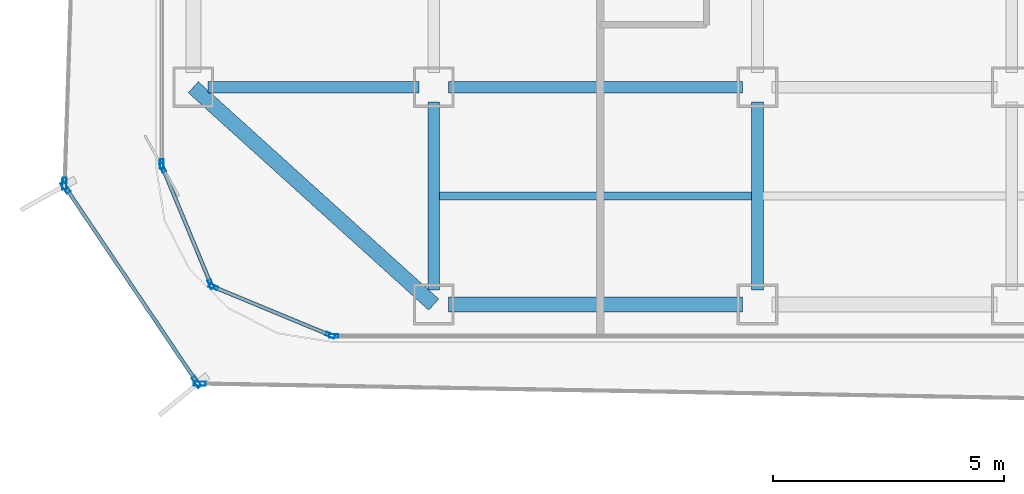
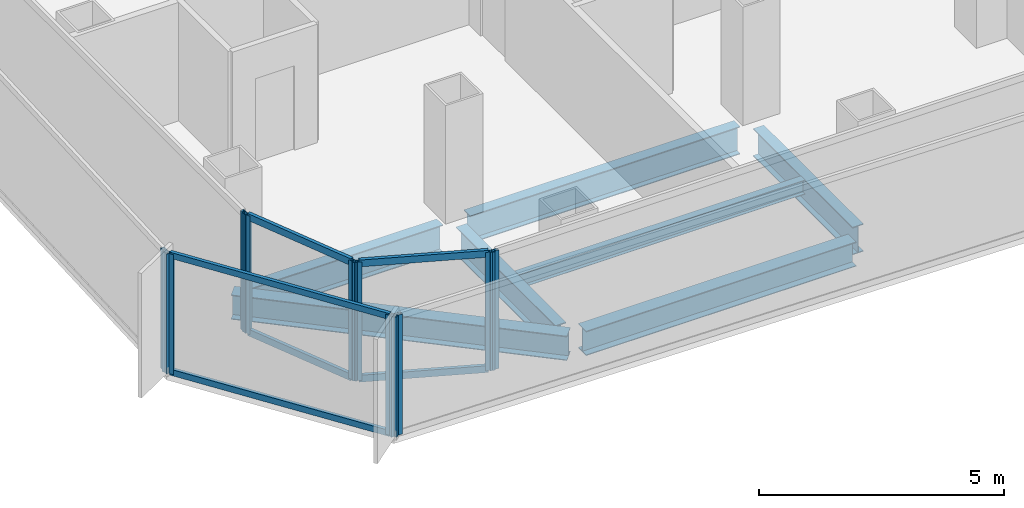
# One storey, part 2 of 21: 16 members, 7 beams, 7 elements without a shape of their own.
"""IFC4 building model written with IfcOpenShell, lengths in metres."""

from ifc_helpers import new_model, si_unit, direction, frame, origin, origin_2d, place, context, subcontext, project, spatial, hollow_rectangle, i_section, extrude, source, transform, mapped, material, layer, layer_set, material_profile, profile_set, type_object, element, aggregate, save


model = new_model("IFC4")

# Units and contexts
model_context = context("Model", 3, precision=1e-05, world=origin(), true_north=direction((0.0, 1.0)))
body_context = subcontext(model_context, "Body", "Model", "MODEL_VIEW")
ifc_project = project(units=[si_unit("LENGTHUNIT", "METRE"), si_unit("AREAUNIT", "SQUARE_METRE"), si_unit("VOLUMEUNIT", "CUBIC_METRE"), si_unit("PLANEANGLEUNIT", "RADIAN"), si_unit("MASSUNIT", "GRAM", prefix="KILO")], contexts=[model_context])

# Site, building, storey
site_placement = place(None, origin())
site = spatial("IfcSite", under=ifc_project, at=site_placement, CompositionType="ELEMENT")
building_placement = place(site_placement, origin())
building = spatial("IfcBuilding", under=site, at=building_placement, Name="Kolveth Station Tower", CompositionType="ELEMENT")
storey_placement = place(building_placement, frame((0.0, 0.0, 127.89990234375)))
storey = spatial("IfcBuildingStorey", under=building, at=storey_placement, Name="L35", CompositionType="ELEMENT", Elevation=127.89990234375)

# Beams
ifc_material_1 = material(Name="Steel S355", Category="steel")
ifc_material_profile_1 = material_profile(ifc_material_1, i_section(OverallWidth=0.323974609375, OverallDepth=0.611083984375, WebThickness=0.0126953125, FlangeThickness=0.01904296875, at=origin_2d()), Name="W610x155")
ifc_profile_set_1 = profile_set([ifc_material_profile_1], Name="Steel S355")
beam_type_1 = type_object("IfcBeamType", Name="Beam_SP2", PredefinedType="SPANDREL", material=ifc_profile_set_1)
shared_shape_1 = source(origin(), body_context, "Body", "SweptSolid", [
    extrude(i_section(OverallWidth=0.323974609375, OverallDepth=0.611083984375, WebThickness=0.0126953125, FlangeThickness=0.01904296875, at=origin_2d()), origin(), (0.0, 0.0, 1.0), 6.35986328125),
])
beam_1_placement = place(storey_placement, frame((6.320068359375, 0.800048828125, -0.555419921875), z_axis=(1.0, 0.0, 0.0), x_axis=(0.0, 1.0, 0.0)))
element("IfcBeam", 1, at=beam_1_placement, inside=storey, type_object=beam_type_1, Name="L35 Perimeter Spandrel BM-L35-PS-1", PredefinedType="SPANDREL", context=body_context, shape_type="MappedRepresentation", body=[
    mapped(shared_shape_1, transform((0.0, 0.0, 0.0), x_axis=(1.0, 0.0, 0.0), y_axis=(0.0, 1.0, 0.0), z_axis=(0.0, 0.0, 1.0), scale=1.0)),
])
shared_shape_2 = source(origin(), body_context, "Body", "SweptSolid", [
    extrude(i_section(OverallWidth=0.323974609375, OverallDepth=0.611083984375, WebThickness=0.0126953125, FlangeThickness=0.01904296875, at=origin_2d()), origin(), (0.0, 0.0, 1.0), 7.00927734375),
])
beam_2_placement = place(storey_placement, frame((0.800048828125, 5.5, -0.555419921875), z_axis=(0.741874009795, -0.670539300557, 0.0), x_axis=(0.670539300557, 0.741874009795, 0.0)))
element("IfcBeam", 2, at=beam_2_placement, inside=storey, type_object=beam_type_1, Name="L35 Corner Edge Girder BM-L35-CNR-SW", PredefinedType="SPANDREL", context=body_context, shape_type="MappedRepresentation", body=[
    mapped(shared_shape_2, transform((0.0, 0.0, 0.0), x_axis=(1.0, 0.0, 0.0), y_axis=(0.0, 1.0, 0.0), z_axis=(0.0, 0.0, 1.0), scale=1.0)),
])
ifc_material_profile_2 = material_profile(ifc_material_1, i_section(OverallWidth=0.25390625, OverallDepth=0.68798828125, WebThickness=0.01318359375, FlangeThickness=0.02099609375, at=origin_2d()), Name="W690x152")
ifc_profile_set_2 = profile_set([ifc_material_profile_2], Name="Steel S355")
beam_type_2 = type_object("IfcBeamType", Name="Beam_B4", PredefinedType="BEAM", material=ifc_profile_set_2)
shared_shape_3 = source(origin(), body_context, "Body", "SweptSolid", [
    extrude(i_section(OverallWidth=0.25390625, OverallDepth=0.68798828125, WebThickness=0.01318359375, FlangeThickness=0.02099609375, at=origin_2d()), origin(), (0.0, 0.0, 1.0), 4.559814453125),
])
beam_3_placement = place(storey_placement, frame((1.1201171875, 5.5, -0.593994140625), z_axis=(1.0, 0.0, 0.0), x_axis=(0.0, 1.0, 0.0)))
element("IfcBeam", 3, at=beam_3_placement, inside=storey, type_object=beam_type_2, Name="L35 Primary Girder BM-L35-GY55-1", PredefinedType="BEAM", context=body_context, shape_type="MappedRepresentation", body=[
    mapped(shared_shape_3, transform((0.0, 0.0, 0.0), x_axis=(1.0, 0.0, 0.0), y_axis=(0.0, 1.0, 0.0), z_axis=(0.0, 0.0, 1.0), scale=1.0)),
])
shared_shape_4 = source(origin(), body_context, "Body", "SweptSolid", [
    extrude(i_section(OverallWidth=0.25390625, OverallDepth=0.68798828125, WebThickness=0.01318359375, FlangeThickness=0.02099609375, at=origin_2d()), origin(), (0.0, 0.0, 1.0), 6.35986328125),
])
beam_4_placement = place(storey_placement, frame((6.320068359375, 5.5, -0.593994140625), z_axis=(1.0, 0.0, 0.0), x_axis=(0.0, 1.0, 0.0)))
element("IfcBeam", 4, at=beam_4_placement, inside=storey, type_object=beam_type_2, Name="L35 Primary Girder BM-L35-GY55-2", PredefinedType="BEAM", context=body_context, shape_type="MappedRepresentation", body=[
    mapped(shared_shape_4, transform((0.0, 0.0, 0.0), x_axis=(1.0, 0.0, 0.0), y_axis=(0.0, 1.0, 0.0), z_axis=(0.0, 0.0, 1.0), scale=1.0)),
])
shared_shape_5 = source(origin(), body_context, "Body", "SweptSolid", [
    extrude(i_section(OverallWidth=0.25390625, OverallDepth=0.68798828125, WebThickness=0.01318359375, FlangeThickness=0.02099609375, at=origin_2d()), origin(), (0.0, 0.0, 1.0), 4.059814453125),
])
for number, where, z_axis, x_axis, name in (
    (5, (6.0, 1.1201171875, -0.593994140625), (0.0, 1.0, 0.0), (-1.0, 0.0, 0.0), "L35 Primary Girder BM-L35-GX60-1"),
    (6, (13.0, 1.1201171875, -0.593994140625), (0.0, 1.0, 0.0), (-1.0, 0.0, 0.0), "L35 Primary Girder BM-L35-GX130-1"),
):
    element("IfcBeam", number, at=place(storey_placement, frame(where, z_axis=z_axis, x_axis=x_axis)), inside=storey, type_object=beam_type_2, Name=name, PredefinedType="BEAM", context=body_context, shape_type="MappedRepresentation", body=[
        mapped(shared_shape_5, transform((0.0, 0.0, 0.0), x_axis=(1.0, 0.0, 0.0), y_axis=(0.0, 1.0, 0.0), z_axis=(0.0, 0.0, 1.0), scale=1.0)),
    ])
ifc_material_profile_3 = material_profile(ifc_material_1, i_section(OverallWidth=0.1708984375, OverallDepth=0.35205078125, WebThickness=0.0068359375, FlangeThickness=0.009765625, at=origin_2d()), Name="W360x44")
ifc_profile_set_3 = profile_set([ifc_material_profile_3], Name="Steel S355")
beam_type_3 = type_object("IfcBeamType", Name="Beam_J2", PredefinedType="JOIST", material=ifc_profile_set_3)
shared_shape_6 = source(origin(), body_context, "Body", "SweptSolid", [
    extrude(i_section(OverallWidth=0.1708984375, OverallDepth=0.35205078125, WebThickness=0.0068359375, FlangeThickness=0.009765625, at=origin_2d()), origin(), (0.0, 0.0, 1.0), 6.75),
])
beam_5_placement = place(storey_placement, frame((6.125, 3.14990234375, -0.42578125), z_axis=(1.0, 0.0, 0.0), x_axis=(0.0, 1.0, 0.0)))
element("IfcBeam", 7, at=beam_5_placement, inside=storey, type_object=beam_type_3, Name="L35 Secondary Joist JST-L35-2-1", PredefinedType="JOIST", context=body_context, shape_type="MappedRepresentation", body=[
    mapped(shared_shape_6, transform((0.0, 0.0, 0.0), x_axis=(1.0, 0.0, 0.0), y_axis=(0.0, 1.0, 0.0), z_axis=(0.0, 0.0, 1.0), scale=1.0)),
])

# Curtain wall, members
ifc_material_2 = material(Name="Aluminium 6063-T6 and low-E dark glass", Category="aluminium")
ifc_layer_1 = layer(ifc_material_2, 0.18994140625)
ifc_layer_set_1 = layer_set([ifc_layer_1], Name="Aluminium 6063-T6 and low-E dark glass")
curtain_wall_type_1 = type_object("IfcCurtainWallType", Name="CurtainWall_CW-Z2", PredefinedType="NOTDEFINED", material=ifc_layer_set_1)
curtain_wall_1_placement = place(storey_placement, origin())
curtain_wall_1 = element("IfcCurtainWall", 8, at=curtain_wall_1_placement, inside=storey, type_object=curtain_wall_type_1, Name="L35 Inner Thermal Curtain Wall 10", PredefinedType="NOTDEFINED")
ifc_material_3 = material(Name="Black anodized aluminium 6063-T6", Category="aluminium")
ifc_material_profile_4 = material_profile(ifc_material_3, hollow_rectangle(XDim=0.080078125, YDim=0.169921875, WallThickness=0.0048828125, at=origin_2d()), Name="ALU-80x170x5")
ifc_profile_set_4 = profile_set([ifc_material_profile_4], Name="Black anodized aluminium 6063-T6")
member_type_1 = type_object("IfcMemberType", Name="Transom_TR2", PredefinedType="USERDEFINED", material=ifc_profile_set_4)
shared_shape_7 = source(origin(), body_context, "Body", "SweptSolid", [
    extrude(hollow_rectangle(XDim=0.080078125, YDim=0.169921875, WallThickness=0.0048828125, at=origin_2d()), origin(), (0.0, 0.0, 1.0), 2.656494140625),
])
member_1_placement = place(storey_placement, frame((0.150634765625, 3.72607421875, 0.0400390625), z_axis=(0.382676455475, -0.923882422403, 0.0), x_axis=(0.923882422403, 0.382676455475, 0.0)))
member_1 = element("IfcMember", 9, at=member_1_placement, type_object=member_type_1, Name="CW-Z2 transom 1.1", ObjectType="TRANSOM", PredefinedType="USERDEFINED", context=body_context, shape_type="MappedRepresentation", body=[
    mapped(shared_shape_7, transform((0.0, 0.0, 0.0), x_axis=(1.0, 0.0, 0.0), y_axis=(0.0, 1.0, 0.0), z_axis=(0.0, 0.0, 1.0), scale=1.0)),
])
member_2_placement = place(storey_placement, frame((0.150634765625, 3.72607421875, 2.91015625), z_axis=(0.382676455475, -0.923882422403, 0.0), x_axis=(0.923882422403, 0.382676455475, 0.0)))
member_2 = element("IfcMember", 10, at=member_2_placement, type_object=member_type_1, Name="CW-Z2 transom 1.2", ObjectType="TRANSOM", PredefinedType="USERDEFINED", context=body_context, shape_type="MappedRepresentation", body=[
    mapped(shared_shape_7, transform((0.0, 0.0, 0.0), x_axis=(1.0, 0.0, 0.0), y_axis=(0.0, 1.0, 0.0), z_axis=(0.0, 0.0, 1.0), scale=1.0)),
])

curtain_wall_2_placement = place(storey_placement, origin())
curtain_wall_2 = element("IfcCurtainWall", 11, at=curtain_wall_2_placement, inside=storey, type_object=curtain_wall_type_1, Name="L35 Inner Thermal Curtain Wall 11", PredefinedType="NOTDEFINED")
member_3_placement = place(storey_placement, frame((1.271728515625, 1.167236328125, 0.0400390625), z_axis=(0.923882422403, -0.382676455475, 0.0), x_axis=(0.382676455475, 0.923882422403, 0.0)))
member_3 = element("IfcMember", 12, at=member_3_placement, type_object=member_type_1, Name="CW-Z2 transom 1.1", ObjectType="TRANSOM", PredefinedType="USERDEFINED", context=body_context, shape_type="MappedRepresentation", body=[
    mapped(shared_shape_7, transform((0.0, 0.0, 0.0), x_axis=(1.0, 0.0, 0.0), y_axis=(0.0, 1.0, 0.0), z_axis=(0.0, 0.0, 1.0), scale=1.0)),
])
member_4_placement = place(storey_placement, frame((1.271728515625, 1.167236328125, 2.91015625), z_axis=(0.923882422403, -0.382676455475, 0.0), x_axis=(0.382676455475, 0.923882422403, 0.0)))
member_4 = element("IfcMember", 13, at=member_4_placement, type_object=member_type_1, Name="CW-Z2 transom 1.2", ObjectType="TRANSOM", PredefinedType="USERDEFINED", context=body_context, shape_type="MappedRepresentation", body=[
    mapped(shared_shape_7, transform((0.0, 0.0, 0.0), x_axis=(1.0, 0.0, 0.0), y_axis=(0.0, 1.0, 0.0), z_axis=(0.0, 0.0, 1.0), scale=1.0)),
])

# Curtain wall, member
ifc_material_4 = material(Name="Black anodized aluminium 6063-T6 and dark solar glass", Category="aluminium")
ifc_layer_2 = layer(ifc_material_4, 0.159912109375)
ifc_layer_set_2 = layer_set([ifc_layer_2], Name="Black anodized aluminium 6063-T6 and dark solar glass")
curtain_wall_type_2 = type_object("IfcCurtainWallType", Name="OUTER SKIN CW-OS", PredefinedType="NOTDEFINED", material=ifc_layer_set_2)
curtain_wall_3_placement = place(storey_placement, origin())
curtain_wall_3 = element("IfcCurtainWall", 14, at=curtain_wall_3_placement, inside=storey, type_object=curtain_wall_type_2, Name="L35 Outer Ventilated Skin Curtain Wall 6", PredefinedType="NOTDEFINED")
ifc_material_profile_5 = material_profile(ifc_material_3, hollow_rectangle(XDim=0.090087890625, YDim=0.260009765625, WallThickness=0.0048828125, at=origin_2d()), Name="ALU-90x260x5")
ifc_profile_set_5 = profile_set([ifc_material_profile_5], Name="Black anodized aluminium 6063-T6")
member_type_2 = type_object("IfcMemberType", Name="FIN MULLION ML-OS", PredefinedType="MULLION", material=ifc_profile_set_5)
shared_shape_8 = source(origin(), body_context, "Body", "SweptSolid", [
    extrude(hollow_rectangle(XDim=0.090087890625, YDim=0.260009765625, WallThickness=0.0048828125, at=origin_2d()), origin(), (0.0, 0.0, 1.0), 2.989990234375),
])
member_5_placement = place(storey_placement, frame((-1.986328125, 3.4150390625, 0.0), z_axis=(0.0, 0.0, 1.0), x_axis=(0.99946866399, -0.032594320103, 0.0)))
member_5 = element("IfcMember", 15, at=member_5_placement, type_object=member_type_2, Name="CW-OS mullion 2", PredefinedType="MULLION", context=body_context, shape_type="MappedRepresentation", body=[
    mapped(shared_shape_8, transform((0.0, 0.0, 0.0), x_axis=(1.0, 0.0, 0.0), y_axis=(0.0, 1.0, 0.0), z_axis=(0.0, 0.0, 1.0), scale=1.0)),
])
aggregate(curtain_wall_3, [member_5])

# Curtain wall, members
curtain_wall_4_placement = place(storey_placement, origin())
curtain_wall_4 = element("IfcCurtainWall", 16, at=curtain_wall_4_placement, inside=storey, type_object=curtain_wall_type_2, Name="L35 Outer Ventilated Skin Curtain Wall 7", PredefinedType="NOTDEFINED")
member_6_placement = place(storey_placement, frame((-1.962646484375, 3.332763671875, 0.0), z_axis=(0.0, 0.0, 1.0), x_axis=(0.829238323646, 0.558895162439, 0.0)))
member_6 = element("IfcMember", 17, at=member_6_placement, type_object=member_type_2, Name="CW-OS mullion 1", PredefinedType="MULLION", context=body_context, shape_type="MappedRepresentation", body=[
    mapped(shared_shape_8, transform((0.0, 0.0, 0.0), x_axis=(1.0, 0.0, 0.0), y_axis=(0.0, 1.0, 0.0), z_axis=(0.0, 0.0, 1.0), scale=1.0)),
])
member_7_placement = place(storey_placement, frame((0.8720703125, -0.87353515625, 0.0), z_axis=(0.0, 0.0, 1.0), x_axis=(0.829238323646, 0.558895162439, 0.0)))
member_7 = element("IfcMember", 18, at=member_7_placement, type_object=member_type_2, Name="CW-OS mullion 2", PredefinedType="MULLION", context=body_context, shape_type="MappedRepresentation", body=[
    mapped(shared_shape_8, transform((0.0, 0.0, 0.0), x_axis=(1.0, 0.0, 0.0), y_axis=(0.0, 1.0, 0.0), z_axis=(0.0, 0.0, 1.0), scale=1.0)),
])

# Curtain wall, member
curtain_wall_5_placement = place(storey_placement, origin())
curtain_wall_5 = element("IfcCurtainWall", 19, at=curtain_wall_5_placement, inside=storey, type_object=curtain_wall_type_2, Name="L35 Outer Ventilated Skin Curtain Wall 8", PredefinedType="NOTDEFINED")
member_8_placement = place(storey_placement, frame((0.9423828125, -0.91162109375, 0.0), z_axis=(0.0, 0.0, 1.0), x_axis=(0.017555621297, 0.999845888205, 0.0)))
member_8 = element("IfcMember", 20, at=member_8_placement, type_object=member_type_2, Name="CW-OS mullion 1", PredefinedType="MULLION", context=body_context, shape_type="MappedRepresentation", body=[
    mapped(shared_shape_8, transform((0.0, 0.0, 0.0), x_axis=(1.0, 0.0, 0.0), y_axis=(0.0, 1.0, 0.0), z_axis=(0.0, 0.0, 1.0), scale=1.0)),
])
aggregate(curtain_wall_5, [member_8])

curtain_wall_6_placement = place(storey_placement, origin())
curtain_wall_6 = element("IfcCurtainWall", 21, at=curtain_wall_6_placement, inside=storey, type_object=curtain_wall_type_1, Name="L35 Inner Thermal Curtain Wall 9", PredefinedType="NOTDEFINED")
ifc_material_profile_6 = material_profile(ifc_material_3, hollow_rectangle(XDim=0.080078125, YDim=0.199951171875, WallThickness=0.0048828125, at=origin_2d()), Name="ALU-80x200x5")
ifc_profile_set_6 = profile_set([ifc_material_profile_6], Name="Black anodized aluminium 6063-T6")
member_type_3 = type_object("IfcMemberType", Name="Mullion_ML2", PredefinedType="MULLION", material=ifc_profile_set_6)
shared_shape_9 = source(origin(), body_context, "Body", "SweptSolid", [
    extrude(hollow_rectangle(XDim=0.080078125, YDim=0.199951171875, WallThickness=0.0048828125, at=origin_2d()), origin(), (0.0, 0.0, 1.0), 2.9501953125),
])
member_9_placement = place(storey_placement, frame((0.1201171875, 3.840087890625, 0.0), z_axis=(0.0, 0.0, 1.0), x_axis=(1.0, 0.0, 0.0)))
member_9 = element("IfcMember", 22, at=member_9_placement, type_object=member_type_3, Name="CW-Z2 mullion 2", PredefinedType="MULLION", context=body_context, shape_type="MappedRepresentation", body=[
    mapped(shared_shape_9, transform((0.0, 0.0, 0.0), x_axis=(1.0, 0.0, 0.0), y_axis=(0.0, 1.0, 0.0), z_axis=(0.0, 0.0, 1.0), scale=1.0)),
])
aggregate(curtain_wall_6, [member_9])

# Member
member_10_placement = place(storey_placement, frame((0.13525390625, 3.762939453125, 0.0), z_axis=(0.0, 0.0, 1.0), x_axis=(0.923887883787, 0.38266326998, 0.0)))
member_10 = element("IfcMember", 23, at=member_10_placement, type_object=member_type_3, Name="CW-Z2 mullion 1", PredefinedType="MULLION", context=body_context, shape_type="MappedRepresentation", body=[
    mapped(shared_shape_9, transform((0.0, 0.0, 0.0), x_axis=(1.0, 0.0, 0.0), y_axis=(0.0, 1.0, 0.0), z_axis=(0.0, 0.0, 1.0), scale=1.0)),
])

member_11_placement = place(storey_placement, frame((1.182373046875, 1.23486328125, 0.0), z_axis=(0.0, 0.0, 1.0), x_axis=(0.923887883787, 0.38266326998, 0.0)))
member_11 = element("IfcMember", 24, at=member_11_placement, type_object=member_type_3, Name="CW-Z2 mullion 2", PredefinedType="MULLION", context=body_context, shape_type="MappedRepresentation", body=[
    mapped(shared_shape_9, transform((0.0, 0.0, 0.0), x_axis=(1.0, 0.0, 0.0), y_axis=(0.0, 1.0, 0.0), z_axis=(0.0, 0.0, 1.0), scale=1.0)),
])

aggregate(curtain_wall_1, [member_10, member_11, member_1, member_2])

member_12_placement = place(storey_placement, frame((1.23486328125, 1.182373046875, 0.0), z_axis=(0.0, 0.0, 1.0), x_axis=(0.38266326998, 0.923887883787, 0.0)))
member_12 = element("IfcMember", 25, at=member_12_placement, type_object=member_type_3, Name="CW-Z2 mullion 1", PredefinedType="MULLION", context=body_context, shape_type="MappedRepresentation", body=[
    mapped(shared_shape_9, transform((0.0, 0.0, 0.0), x_axis=(1.0, 0.0, 0.0), y_axis=(0.0, 1.0, 0.0), z_axis=(0.0, 0.0, 1.0), scale=1.0)),
])

member_13_placement = place(storey_placement, frame((3.762939453125, 0.13525390625, 0.0), z_axis=(0.0, 0.0, 1.0), x_axis=(0.38266326998, 0.923887883787, 0.0)))
member_13 = element("IfcMember", 26, at=member_13_placement, type_object=member_type_3, Name="CW-Z2 mullion 2", PredefinedType="MULLION", context=body_context, shape_type="MappedRepresentation", body=[
    mapped(shared_shape_9, transform((0.0, 0.0, 0.0), x_axis=(1.0, 0.0, 0.0), y_axis=(0.0, 1.0, 0.0), z_axis=(0.0, 0.0, 1.0), scale=1.0)),
])

aggregate(curtain_wall_2, [member_12, member_13, member_3, member_4])

# Curtain wall, member
curtain_wall_7_placement = place(storey_placement, origin())
curtain_wall_7 = element("IfcCurtainWall", 27, at=curtain_wall_7_placement, inside=storey, type_object=curtain_wall_type_1, Name="L35 Inner Thermal Curtain Wall 12", PredefinedType="NOTDEFINED")
member_14_placement = place(storey_placement, frame((3.840087890625, 0.1201171875, 0.0), z_axis=(0.0, 0.0, 1.0), x_axis=(0.0, 1.0, 0.0)))
member_14 = element("IfcMember", 28, at=member_14_placement, type_object=member_type_3, Name="CW-Z2 mullion 1", PredefinedType="MULLION", context=body_context, shape_type="MappedRepresentation", body=[
    mapped(shared_shape_9, transform((0.0, 0.0, 0.0), x_axis=(1.0, 0.0, 0.0), y_axis=(0.0, 1.0, 0.0), z_axis=(0.0, 0.0, 1.0), scale=1.0)),
])
aggregate(curtain_wall_7, [member_14])

# Member
ifc_material_profile_7 = material_profile(ifc_material_3, hollow_rectangle(XDim=0.080078125, YDim=0.14990234375, WallThickness=0.0048828125, at=origin_2d()), Name="ALU-80x150x5")
ifc_profile_set_7 = profile_set([ifc_material_profile_7], Name="Black anodized aluminium 6063-T6")
member_type_4 = type_object("IfcMemberType", Name="Transom_TR-OS", PredefinedType="USERDEFINED", material=ifc_profile_set_7)
shared_shape_10 = source(origin(), body_context, "Body", "SweptSolid", [
    extrude(hollow_rectangle(XDim=0.080078125, YDim=0.14990234375, WallThickness=0.0048828125, at=origin_2d()), origin(), (0.0, 0.0, 1.0), 4.982177734375),
])
member_15_placement = place(storey_placement, frame((-1.9375, 3.29541015625, 0.0400390625), z_axis=(0.558865915514, -0.829258034918, 0.0), x_axis=(0.829258034918, 0.558865915514, 0.0)))
member_15 = element("IfcMember", 29, at=member_15_placement, type_object=member_type_4, Name="CW-OS transom 1.1", ObjectType="TRANSOM", PredefinedType="USERDEFINED", context=body_context, shape_type="MappedRepresentation", body=[
    mapped(shared_shape_10, transform((0.0, 0.0, 0.0), x_axis=(1.0, 0.0, 0.0), y_axis=(0.0, 1.0, 0.0), z_axis=(0.0, 0.0, 1.0), scale=1.0)),
])

member_16_placement = place(storey_placement, frame((-1.9375, 3.29541015625, 2.9501953125), z_axis=(0.558865915514, -0.829258034918, 0.0), x_axis=(0.829258034918, 0.558865915514, 0.0)))
member_16 = element("IfcMember", 30, at=member_16_placement, type_object=member_type_4, Name="CW-OS transom 1.2", ObjectType="TRANSOM", PredefinedType="USERDEFINED", context=body_context, shape_type="MappedRepresentation", body=[
    mapped(shared_shape_10, transform((0.0, 0.0, 0.0), x_axis=(1.0, 0.0, 0.0), y_axis=(0.0, 1.0, 0.0), z_axis=(0.0, 0.0, 1.0), scale=1.0)),
])

aggregate(curtain_wall_4, [member_6, member_7, member_15, member_16])

save(model, "model.ifc")
